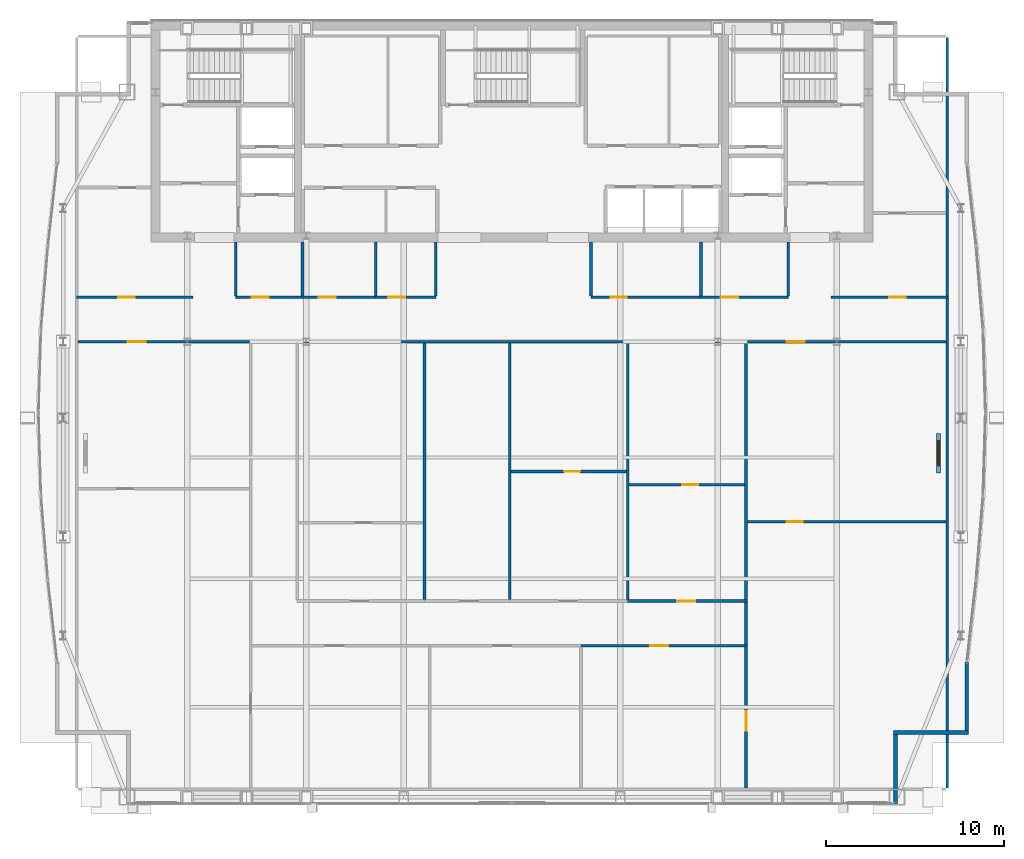
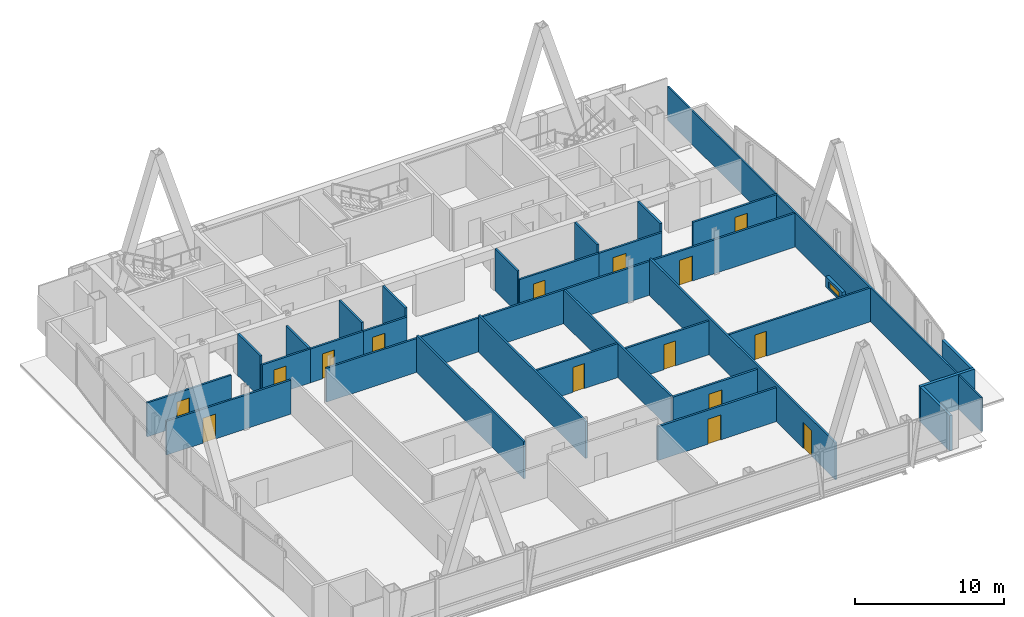
# One storey, part 23 of 28: 31 walls, 15 doors, 1 window, 16 openings.
"""IFC4 building model written with IfcOpenShell, lengths in metres."""

import ifcopenshell
import ifcopenshell.guid

model = None  # the IFC model being written
_history = None  # IfcOwnerHistory: only IFC2X3 demands one
_inside = {}  # id of a spatial element -> (the spatial element, [elements in it])
_under = {}  # id of a project, library or spatial element -> (it, [spatial elements below it])
_declared = {}  # id of a project -> (the project, [libraries it declares])
_typed = {}  # id of a type object -> (the type object, [elements of that type])
_made_of = {}  # id of a material, layer set ... -> (it, [elements and type objects made of it])


def new_model(schema):
    """Start an empty IFC model of exactly this schema.

    Asked for "IFC4X3", IfcOpenShell would pick the latest addendum, in which some entities
    have other attributes; the version numbers below select the first issue.
    IFC2X3 requires an IfcOwnerHistory on every rooted entity: one is made here for all.
    """
    global model, _history
    if schema == "IFC4X3":
        model = ifcopenshell.file(schema_version=(4, 3, 0, 0))
    else:
        model = ifcopenshell.file(schema=schema)
    _inside.clear()
    _under.clear()
    _declared.clear()
    _typed.clear()
    _made_of.clear()
    _history = None
    if model.schema == "IFC2X3":
        org = make("IfcOrganization", Name="unknown")
        user = make(
            "IfcPersonAndOrganization",
            ThePerson=make("IfcPerson", FamilyName="unknown"),
            TheOrganization=org,
        )
        app = make(
            "IfcApplication",
            ApplicationDeveloper=org,
            Version="unknown",
            ApplicationFullName="unknown",
            ApplicationIdentifier="unknown",
        )
        _history = make(
            "IfcOwnerHistory",
            OwningUser=user,
            OwningApplication=app,
            ChangeAction="ADDED",
            CreationDate=0,
        )
    return model


def make(cls, **values):
    """One entity of the class cls with the attributes given. An attribute that is None is left unset."""
    return model.create_entity(
        cls, **{name: value for name, value in values.items() if value is not None}
    )


def rooted(cls, **values):
    """An entity with a GlobalId (a new one), such as an element, a storey or a relation."""
    return make(cls, GlobalId=ifcopenshell.guid.new(), OwnerHistory=_history, **values)


def si_unit(unit_type, name, prefix=None):
    """IfcSIUnit, for example si_unit("LENGTHUNIT", "METRE", prefix="MILLI")."""
    return make("IfcSIUnit", UnitType=unit_type, Prefix=prefix, Name=name)


def assignment(units):
    """IfcUnitAssignment: the units of a project."""
    return None if units is None else make("IfcUnitAssignment", Units=units)


def point(xyz):
    """IfcCartesianPoint."""
    return None if xyz is None else make("IfcCartesianPoint", Coordinates=xyz)


def direction(xyz):
    """IfcDirection."""
    return None if xyz is None else make("IfcDirection", DirectionRatios=xyz)


def frame(location, z_axis=None, x_axis=None):
    """IfcAxis2Placement3D, a coordinate frame: its origin and axes. An axis left out is left unset."""
    return make(
        "IfcAxis2Placement3D",
        Location=point(location),
        Axis=direction(z_axis),
        RefDirection=direction(x_axis),
    )


def frame_2d(location, x_axis=None):
    """IfcAxis2Placement2D, a coordinate frame in the plane: its origin and x axis."""
    return make(
        "IfcAxis2Placement2D", Location=point(location), RefDirection=direction(x_axis)
    )


def origin():
    """The frame at (0, 0, 0) with its axes left unset."""
    return frame((0.0, 0.0, 0.0))


def place(relative_to, where):
    """IfcLocalPlacement: puts the frame where relative to a parent placement (None: the world)."""
    return make(
        "IfcLocalPlacement", PlacementRelTo=relative_to, RelativePlacement=where
    )


def context(
    kind, dimensions, precision=None, world=None, true_north=None, identifier=None
):
    """IfcGeometricRepresentationContext, for example the 3D "Model" context."""
    return make(
        "IfcGeometricRepresentationContext",
        ContextIdentifier=identifier,
        ContextType=kind,
        CoordinateSpaceDimension=dimensions,
        Precision=precision,
        WorldCoordinateSystem=world,
        TrueNorth=true_north,
    )


def subcontext(parent, identifier, kind, view, scale=None):
    """IfcGeometricRepresentationSubContext, for example "Body" below "Model"."""
    return make(
        "IfcGeometricRepresentationSubContext",
        ContextIdentifier=identifier,
        ContextType=kind,
        ParentContext=parent,
        TargetScale=scale,
        TargetView=view,
    )


def project(units=None, contexts=None):
    """IfcProject with its units and contexts."""
    return rooted(
        "IfcProject",
        Name="project",
        RepresentationContexts=contexts,
        UnitsInContext=assignment(units),
    )


def spatial(cls, under=None, at=None, **own):
    """A site, building, storey or space (cls), placed at a placement, below another one or the project."""
    s = rooted(cls, ObjectPlacement=at, **own)
    if under is not None:
        _under.setdefault(under.id(), (under, []))[1].append(s)
    return s


def profile(cls, at=None, kind="AREA", **sizes):
    """A parametric profile (cls). Its sizes go by their IFC names, for example OverallWidth=200.0."""
    return make(cls, ProfileType=kind, Position=at, **sizes)


def rectangle(**sizes):
    """IfcRectangleProfileDef."""
    return profile("IfcRectangleProfileDef", **sizes)


def extrude(swept, where, along, depth):
    """IfcExtrudedAreaSolid: the profile swept, set in the frame where, extruded along a direction by depth."""
    return make(
        "IfcExtrudedAreaSolid",
        SweptArea=swept,
        Position=where,
        ExtrudedDirection=direction(along),
        Depth=depth,
    )


def shape(context_of_items, identifier, shape_type, items):
    """IfcShapeRepresentation: the items that make up one representation, for example the "Body"."""
    return make(
        "IfcShapeRepresentation",
        ContextOfItems=context_of_items,
        RepresentationIdentifier=identifier,
        RepresentationType=shape_type,
        Items=items,
    )


def material(Name=None, Category=None):
    """IfcMaterial."""
    return make("IfcMaterial", Name=Name, Category=Category)


def layer(
    of_material, thickness, ventilated=None, Name=None, Category=None, Priority=None
):
    """IfcMaterialLayer: one layer of a wall or slab, of a material (None: an air gap)."""
    return make(
        "IfcMaterialLayer",
        Material=of_material,
        LayerThickness=thickness,
        IsVentilated=ventilated,
        Name=Name,
        Category=Category,
        Priority=Priority,
    )


def layer_set(layers, Name=None):
    """IfcMaterialLayerSet."""
    return make("IfcMaterialLayerSet", MaterialLayers=layers, LayerSetName=Name)


def made_of(thing, what):
    """Note that an element or type object is made of a material, layer set ...; save() writes the relation."""
    if what is not None:
        _made_of.setdefault(what.id(), (what, []))[1].append(thing)
    return thing


def type_object(cls, material=None, **own):
    """A type object (cls), such as IfcWallType, which elements share."""
    return made_of(rooted(cls, **own), material)


def element(
    cls,
    number,
    at=None,
    inside=None,
    cuts=None,
    type_object=None,
    material=None,
    context=None,
    identifier="Body",
    shape_type=None,
    held_by="IfcProductDefinitionShape",
    body=None,
    shapes=None,
    **own,
):
    """One element of the class cls, such as IfcWall. Its Tag is "e" and its number.

    at: its placement. inside: the storey or other place that contains it. cuts: it is an
    opening in that element (IfcRelVoidsElement). A single representation is given by context,
    identifier, shape_type and body (its items); several are given by shapes. held_by: the class
    of the entity that holds the representations. save() writes the other relations.
    """
    e = rooted(cls, Tag="e%d" % number, ObjectPlacement=at, **own)
    if body is not None:
        shapes = [shape(context, identifier, shape_type, body)]
    if shapes is not None:
        e.Representation = make(held_by, Representations=shapes)
    if inside is not None:
        _inside.setdefault(inside.id(), (inside, []))[1].append(e)
    if cuts is not None:
        rooted(
            "IfcRelVoidsElement", RelatingBuildingElement=cuts, RelatedOpeningElement=e
        )
    if type_object is not None:
        _typed.setdefault(type_object.id(), (type_object, []))[1].append(e)
    return made_of(e, material)


def fill(opening, filler):
    """IfcRelFillsElement: the door or window that sits in an opening."""
    return rooted(
        "IfcRelFillsElement",
        RelatingOpeningElement=opening,
        RelatedBuildingElement=filler,
    )


def aggregate(whole, parts):
    """IfcRelAggregates: a whole, such as a stair, and the parts it consists of."""
    return rooted("IfcRelAggregates", RelatingObject=whole, RelatedObjects=parts)


def save(model, path):
    """Write the relations noted so far, then the file.

    IfcRelAggregates (storeys below a building ...), IfcRelContainedInSpatialStructure (elements
    in a storey), IfcRelDefinesByType, IfcRelAssociatesMaterial and IfcRelDeclares: one each for
    every whole, place, type object, material and project.
    """
    for whole, parts in _under.values():
        aggregate(whole, parts)
    for where, things in _inside.values():
        rooted(
            "IfcRelContainedInSpatialStructure",
            RelatedElements=things,
            RelatingStructure=where,
        )
    for kind, things in _typed.values():
        rooted("IfcRelDefinesByType", RelatedObjects=things, RelatingType=kind)
    for what, things in _made_of.values():
        rooted("IfcRelAssociatesMaterial", RelatedObjects=things, RelatingMaterial=what)
    for by, libraries in _declared.values():
        rooted("IfcRelDeclares", RelatingContext=by, RelatedDefinitions=libraries)
    model.write(path)


model = new_model("IFC4")

# Units and contexts
model_context = context("Model", 3, precision=1e-05, world=origin(), true_north=direction((0.0, 1.0)))
body_context = subcontext(model_context, "Body", "Model", "MODEL_VIEW")
ifc_project = project(units=[si_unit("LENGTHUNIT", "METRE"), si_unit("AREAUNIT", "SQUARE_METRE"), si_unit("VOLUMEUNIT", "CUBIC_METRE"), si_unit("PLANEANGLEUNIT", "RADIAN"), si_unit("MASSUNIT", "GRAM", prefix="KILO")], contexts=[model_context])

# Site, building, storey
site_placement = place(None, origin())
site = spatial("IfcSite", under=ifc_project, at=site_placement, CompositionType="ELEMENT")
building_placement = place(site_placement, origin())
building = spatial("IfcBuilding", under=site, at=building_placement, Name="Khoronbel Lancet Exchange", CompositionType="ELEMENT")
storey_placement = place(building_placement, frame((0.0, 0.0, 291.39990234375)))
storey = spatial("IfcBuildingStorey", under=building, at=storey_placement, Name="L75", CompositionType="ELEMENT", Elevation=291.39990234375)

# Walls
ifc_material_1 = material(Name="Precast concrete C40/50", Category="concrete")
ifc_layer_1 = layer(ifc_material_1, 0.25, Name="Precast concrete C40/50")
ifc_layer_set_1 = layer_set([ifc_layer_1], Name="Precast concrete C40/50")
wall_type_1 = type_object("IfcWallType", Name="WL-EXT250", PredefinedType="SOLIDWALL", material=ifc_layer_set_1)
wall_1_placement = place(storey_placement, frame((61.9599609375, 17.72509765625, 0.0), z_axis=(0.0, 0.0, 1.0), x_axis=(0.0, -1.0, 0.0)))
element("IfcWall", 1, at=wall_1_placement, inside=storey, type_object=wall_type_1, Name="Level L75 notched-corner limestone pier 23", PredefinedType="SOLIDWALL", context=body_context, shape_type="SweptSolid", body=[
    extrude(rectangle(XDim=3.8251953125, YDim=0.219970703125, at=frame_2d((1.91259765625, 0.0))), origin(), (0.0, 0.0, 1.0), 2.880126953125),
])
wall_2_placement = place(storey_placement, frame((62.070068359375, 13.7900390625, 0.0), z_axis=(0.0, 0.0, 1.0), x_axis=(-1.0, 0.0, 0.0)))
element("IfcWall", 2, at=wall_2_placement, inside=storey, type_object=wall_type_1, Name="Level L75 notched-corner limestone pier 24", PredefinedType="SOLIDWALL", context=body_context, shape_type="SweptSolid", body=[
    extrude(rectangle(XDim=4.219970703125, YDim=0.219970703125, at=frame_2d((2.10986328125, 0.0))), origin(), (0.0, 0.0, 1.0), 2.880126953125),
])
wall_3_placement = place(storey_placement, frame((57.9599609375, 13.679931640625, 0.0), z_axis=(0.0, 0.0, 1.0), x_axis=(0.0, -1.0, 0.0)))
element("IfcWall", 3, at=wall_3_placement, inside=storey, type_object=wall_type_1, Name="Level L75 notched-corner limestone pier 25", PredefinedType="SOLIDWALL", context=body_context, shape_type="SweptSolid", body=[
    extrude(rectangle(XDim=3.909912109375, YDim=0.219970703125, at=frame_2d((1.955078125, 0.0))), origin(), (0.0, 0.0, 1.0), 2.880126953125),
])

# Wall, opening, window
ifc_material_2 = material(Name="Concrete C40/50", Category="concrete")
ifc_layer_2 = layer(ifc_material_2, 0.25, Name="Concrete C40/50")
ifc_layer_set_2 = layer_set([ifc_layer_2], Name="Concrete C40/50")
wall_type_2 = type_object("IfcWallType", Name="WL-PAR250", PredefinedType="PARAPET", material=ifc_layer_set_2)
wall_4_placement = place(storey_placement, frame((60.375, 28.35009765625, 0.0), z_axis=(0.0, 0.0, 1.0), x_axis=(0.0, 1.0, 0.0)))
wall_4 = element("IfcWall", 4, at=wall_4_placement, inside=storey, type_object=wall_type_2, Name="Level L75 setback roof slab 2 smoke-ventilation skylight lantern curb", PredefinedType="PARAPET", context=body_context, shape_type="SweptSolid", body=[
    extrude(rectangle(XDim=2.199951171875, YDim=0.25, at=frame_2d((1.10009765625, 0.0))), origin(), (0.0, 0.0, 1.0), 0.880126953125),
])
opening_1_placement = place(wall_4_placement, frame((0.39990234375, 0.0, 0.159912109375)))
opening_1 = element("IfcOpeningElement", 5, at=opening_1_placement, cuts=wall_4, Name="Opening SK2", PredefinedType="OPENING", context=body_context, shape_type="SweptSolid", body=[
    extrude(rectangle(XDim=1.39990234375, YDim=0.5, at=frame_2d((0.699951171875, 0.25))), frame((0.0, 0.135009765625, 0.0), z_axis=(0.0, -1.0, 0.0), x_axis=(1.0, 0.0, 0.0)), (0.0, 0.0, 1.0), 0.27001953125),
])
ifc_material_3 = material(Name="Low-E Solar Control Insulating Glass", Category="glass")
window_type = type_object("IfcWindowType", Name="WIN-SK2", PartitioningType="SINGLE_PANEL", PredefinedType="SKYLIGHT", material=ifc_material_3)
window_placement = place(opening_1_placement, origin())
window = element("IfcWindow", 6, at=window_placement, inside=storey, type_object=window_type, Name="Level L75 setback roof slab 2 smoke-ventilation clerestory skylight", OverallHeight=0.5, OverallWidth=1.39990234375, PartitioningType="SINGLE_PANEL", PredefinedType="SKYLIGHT", context=body_context, shape_type="SweptSolid", body=[
    extrude(rectangle(XDim=1.39990234375, YDim=0.5, at=frame_2d((0.699951171875, 0.25))), frame((0.0, 0.030029296875, 0.0), z_axis=(0.0, -1.0, 0.0), x_axis=(1.0, 0.0, 0.0)), (0.0, 0.0, 1.0), 0.06005859375),
])
fill(opening_1, window)

# Walls
ifc_material_4 = material(Name="Acoustic Metal-Stud & Mineral-Wool Gypsum Partition 120 mm", Category="gypsum")
ifc_layer_3 = layer(ifc_material_4, 0.1201171875, Name="Acoustic Metal-Stud & Mineral-Wool Gypsum Partition 120 mm")
ifc_layer_set_3 = layer_set([ifc_layer_3], Name="Acoustic Metal-Stud & Mineral-Wool Gypsum Partition 120 mm")
wall_type_3 = type_object("IfcWallType", Name="WL-PRT120", PredefinedType="PARTITIONING", material=ifc_layer_set_3)
wall_5_placement = place(storey_placement, frame((20.949951171875, 38.280029296875, 0.0), z_axis=(0.0, 0.0, 1.0), x_axis=(0.0, 1.0, 0.0)))
element("IfcWall", 7, at=wall_5_placement, inside=storey, type_object=wall_type_3, Name="Level L75 interior partition PW-WC-0", PredefinedType="PARTITIONING", context=body_context, shape_type="SweptSolid", body=[
    extrude(rectangle(XDim=3.02001953125, YDim=0.14990234375, at=frame_2d((1.510009765625, 0.0))), origin(), (0.0, 0.0, 1.0), 3.440185546875),
])
wall_6_placement = place(storey_placement, frame((24.699951171875, 38.280029296875, 0.0), z_axis=(0.0, 0.0, 1.0), x_axis=(0.0, 1.0, 0.0)))
element("IfcWall", 8, at=wall_6_placement, inside=storey, type_object=wall_type_3, Name="Level L75 interior partition PW-WC-1", PredefinedType="PARTITIONING", context=body_context, shape_type="SweptSolid", body=[
    extrude(rectangle(XDim=3.02001953125, YDim=0.14990234375, at=frame_2d((1.510009765625, 0.0))), origin(), (0.0, 0.0, 1.0), 2.780029296875),
])
for number, where, z_axis, x_axis, name in (
    (9, (28.800048828125, 38.280029296875, 0.0), (0.0, 0.0, 1.0), (0.0, 1.0, 0.0), "Level L75 interior partition PW-WC-2"),
    (10, (32.179931640625, 38.280029296875, 0.0), (0.0, 0.0, 1.0), (0.0, 1.0, 0.0), "Level L75 interior partition PW-WC-3"),
    (11, (40.8798828125, 38.280029296875, 0.0), (0.0, 0.0, 1.0), (0.0, 1.0, 0.0), "Level L75 interior partition PW-NP-0"),
    (12, (47.050048828125, 38.280029296875, 0.0), (0.0, 0.0, 1.0), (0.0, 1.0, 0.0), "Level L75 interior partition PW-NP-M"),
    (13, (51.949951171875, 38.280029296875, 0.0), (0.0, 0.0, 1.0), (0.0, 1.0, 0.0), "Level L75 interior partition PW-NP-1"),
):
    element("IfcWall", number, at=place(storey_placement, frame(where, z_axis=z_axis, x_axis=x_axis)), inside=storey, type_object=wall_type_3, Name=name, PredefinedType="PARTITIONING", context=body_context, shape_type="SweptSolid", body=[
        extrude(rectangle(XDim=3.02001953125, YDim=0.14990234375, at=frame_2d((1.510009765625, 0.0))), origin(), (0.0, 0.0, 1.0), 3.440185546875),
    ])

# Wall, opening, door
wall_7_placement = place(storey_placement, frame((49.659912109375, 25.60009765625, 0.0), z_axis=(0.0, 0.0, 1.0), x_axis=(1.0, 0.0, 0.0)))
wall_7 = element("IfcWall", 14, at=wall_7_placement, inside=storey, type_object=wall_type_3, Name="Level L75 interior partition PW-Z4-EH", PredefinedType="PARTITIONING", context=body_context, shape_type="SweptSolid", body=[
    extrude(rectangle(XDim=11.14501953125, YDim=0.14990234375, at=frame_2d((5.572509765625, 0.0))), origin(), (0.0, 0.0, 1.0), 2.780029296875),
])
opening_2_placement = place(wall_7_placement, frame((2.199951171875, 0.0, 0.0)))
opening_2 = element("IfcOpeningElement", 15, at=opening_2_placement, cuts=wall_7, Name="Opening D5", PredefinedType="OPENING", context=body_context, shape_type="SweptSolid", body=[
    extrude(rectangle(XDim=0.89990234375, YDim=2.050048828125, at=frame_2d((0.449951171875, 1.02490234375))), frame((0.0, 0.0849609375, 0.0), z_axis=(0.0, -1.0, 0.0), x_axis=(1.0, 0.0, 0.0)), (0.0, 0.0, 1.0), 0.169921875),
])
ifc_material_5 = material(Name="Acoustic Timber Pantry & Support Door", Category="wood")
door_type_1 = type_object("IfcDoorType", Name="DR-D5", OperationType="NOTDEFINED", PredefinedType="DOOR", material=ifc_material_5)
door_1_placement = place(opening_2_placement, origin())
door_1 = element("IfcDoor", 16, at=door_1_placement, inside=storey, type_object=door_type_1, Name="East lens inner door L75-1", OperationType="SINGLE_SWING_LEFT", OverallHeight=2.050048828125, OverallWidth=0.89990234375, PredefinedType="DOOR", context=body_context, shape_type="SweptSolid", body=[
    extrude(rectangle(XDim=0.89990234375, YDim=2.050048828125, at=frame_2d((0.449951171875, 1.02490234375))), frame((0.0, 0.02490234375, 0.0), z_axis=(0.0, -1.0, 0.0), x_axis=(1.0, 0.0, 0.0)), (0.0, 0.0, 1.0), 0.050048828125),
])
fill(opening_2, door_1)

wall_8_placement = place(storey_placement, frame((36.398193359375, 28.425048828125, 0.0), z_axis=(0.0, 0.0, 1.0), x_axis=(1.0, 0.0, 0.0)))
wall_8 = element("IfcWall", 17, at=wall_8_placement, inside=storey, type_object=wall_type_3, Name="Level L75 interior partition PW-Z4C-H3", PredefinedType="PARTITIONING", context=body_context, shape_type="SweptSolid", body=[
    extrude(rectangle(XDim=6.462890625, YDim=0.14990234375, at=frame_2d((3.2314453125, 0.0))), origin(), (0.0, 0.0, 1.0), 2.780029296875),
])
opening_3_placement = place(wall_8_placement, frame((2.980224609375, 0.0, 0.0)))
opening_3 = element("IfcOpeningElement", 18, at=opening_3_placement, cuts=wall_8, Name="Opening D5", PredefinedType="OPENING", context=body_context, shape_type="SweptSolid", body=[
    extrude(rectangle(XDim=0.89990234375, YDim=2.050048828125, at=frame_2d((0.449951171875, 1.02490234375))), frame((0.0, 0.0849609375, 0.0), z_axis=(0.0, -1.0, 0.0), x_axis=(1.0, 0.0, 0.0)), (0.0, 0.0, 1.0), 0.169921875),
])
door_2_placement = place(opening_3_placement, origin())
door_2 = element("IfcDoor", 19, at=door_2_placement, inside=storey, type_object=door_type_1, Name="Z4C inner door 3 L75-1", OperationType="SINGLE_SWING_RIGHT", OverallHeight=2.050048828125, OverallWidth=0.89990234375, PredefinedType="DOOR", context=body_context, shape_type="SweptSolid", body=[
    extrude(rectangle(XDim=0.89990234375, YDim=2.050048828125, at=frame_2d((0.449951171875, 1.02490234375))), frame((0.0, 0.02490234375, 0.0), z_axis=(0.0, -1.0, 0.0), x_axis=(1.0, 0.0, 0.0)), (0.0, 0.0, 1.0), 0.050048828125),
])
fill(opening_3, door_2)

wall_9_placement = place(storey_placement, frame((43.02099609375, 27.671630859375, 0.0), z_axis=(0.0, 0.0, 1.0), x_axis=(1.0, 0.0, 0.0)))
wall_9 = element("IfcWall", 20, at=wall_9_placement, inside=storey, type_object=wall_type_3, Name="Level L75 interior partition PW-Z4C-H4", PredefinedType="PARTITIONING", context=body_context, shape_type="SweptSolid", body=[
    extrude(rectangle(XDim=6.47900390625, YDim=0.14990234375, at=frame_2d((3.239501953125, 0.0))), origin(), (0.0, 0.0, 1.0), 2.780029296875),
])
opening_4_placement = place(wall_9_placement, frame((2.987548828125, 0.0, 0.0)))
opening_4 = element("IfcOpeningElement", 21, at=opening_4_placement, cuts=wall_9, Name="Opening D5", PredefinedType="OPENING", context=body_context, shape_type="SweptSolid", body=[
    extrude(rectangle(XDim=0.89990234375, YDim=2.050048828125, at=frame_2d((0.449951171875, 1.02490234375))), frame((0.0, 0.0849609375, 0.0), z_axis=(0.0, -1.0, 0.0), x_axis=(1.0, 0.0, 0.0)), (0.0, 0.0, 1.0), 0.169921875),
])
door_3_placement = place(opening_4_placement, origin())
door_3 = element("IfcDoor", 22, at=door_3_placement, inside=storey, type_object=door_type_1, Name="Z4C inner door 4 L75-1", OperationType="SINGLE_SWING_RIGHT", OverallHeight=2.050048828125, OverallWidth=0.89990234375, PredefinedType="DOOR", context=body_context, shape_type="SweptSolid", body=[
    extrude(rectangle(XDim=0.89990234375, YDim=2.050048828125, at=frame_2d((0.449951171875, 1.02490234375))), frame((0.0, 0.02490234375, 0.0), z_axis=(0.0, -1.0, 0.0), x_axis=(1.0, 0.0, 0.0)), (0.0, 0.0, 1.0), 0.050048828125),
])
fill(opening_4, door_3)

# Wall
wall_10_placement = place(storey_placement, frame((60.8701171875, 10.6650390625, 0.0), z_axis=(0.0, 0.0, 1.0), x_axis=(0.0, 1.0, 0.0)))
element("IfcWall", 23, at=wall_10_placement, inside=storey, type_object=wall_type_3, Name="Level L75 interior partition PW-LIN-E", PredefinedType="PARTITIONING", context=body_context, shape_type="SweptSolid", body=[
    extrude(rectangle(XDim=42.10986328125, YDim=0.1201171875, at=frame_2d((21.054931640625, 0.0))), origin(), (0.0, 0.0, 1.0), 2.780029296875),
])

# Wall, opening, door
ifc_material_6 = material(Name="Fire-Rated Twin-Stud Acoustic Gypsum Partition 150 mm", Category="gypsum")
ifc_layer_4 = layer(ifc_material_6, 0.14990234375, Name="Fire-Rated Twin-Stud Acoustic Gypsum Partition 150 mm")
ifc_layer_set_4 = layer_set([ifc_layer_4], Name="Fire-Rated Twin-Stud Acoustic Gypsum Partition 150 mm")
wall_type_4 = type_object("IfcWallType", Name="WL-PRT150C", PredefinedType="PARTITIONING", material=ifc_layer_set_4)
wall_11_placement = place(storey_placement, frame((20.949951171875, 38.199951171875, 0.0), z_axis=(0.0, 0.0, 1.0), x_axis=(1.0, 0.0, 0.0)))
wall_11 = element("IfcWall", 24, at=wall_11_placement, inside=storey, type_object=wall_type_4, Name="Level L75 interior partition PW-WC-S1", PredefinedType="PARTITIONING", context=body_context, shape_type="SweptSolid", body=[
    extrude(rectangle(XDim=3.75, YDim=0.14990234375, at=frame_2d((1.875, 0.0))), origin(), (0.0, 0.0, 1.0), 2.780029296875),
])
opening_5_placement = place(wall_11_placement, frame((0.89990234375, 0.0, 0.0)))
opening_5 = element("IfcOpeningElement", 25, at=opening_5_placement, cuts=wall_11, Name="Opening D4", PredefinedType="OPENING", context=body_context, shape_type="SweptSolid", body=[
    extrude(rectangle(XDim=0.949951171875, YDim=2.050048828125, at=frame_2d((0.47509765625, 1.02490234375))), frame((0.0, 0.0849609375, 0.0), z_axis=(0.0, -1.0, 0.0), x_axis=(1.0, 0.0, 0.0)), (0.0, 0.0, 1.0), 0.169921875),
])
ifc_material_7 = material(Name="Moisture-Resistant HPL Washroom Door", Category="wood")
door_type_2 = type_object("IfcDoorType", Name="DR-D4", OperationType="NOTDEFINED", PredefinedType="DOOR", material=ifc_material_7)
door_4_placement = place(opening_5_placement, origin())
door_4 = element("IfcDoor", 26, at=door_4_placement, inside=storey, type_object=door_type_2, Name="Male washroom door L75-1", OperationType="SINGLE_SWING_LEFT", OverallHeight=2.050048828125, OverallWidth=0.949951171875, PredefinedType="DOOR", context=body_context, shape_type="SweptSolid", body=[
    extrude(rectangle(XDim=0.949951171875, YDim=2.050048828125, at=frame_2d((0.47509765625, 1.02490234375))), frame((0.0, 0.02490234375, 0.0), z_axis=(0.0, -1.0, 0.0), x_axis=(1.0, 0.0, 0.0)), (0.0, 0.0, 1.0), 0.050048828125),
])
fill(opening_5, door_4)

wall_12_placement = place(storey_placement, frame((24.699951171875, 38.199951171875, 0.0), z_axis=(0.0, 0.0, 1.0), x_axis=(1.0, 0.0, 0.0)))
wall_12 = element("IfcWall", 27, at=wall_12_placement, inside=storey, type_object=wall_type_4, Name="Level L75 interior partition PW-WC-S2", PredefinedType="PARTITIONING", context=body_context, shape_type="SweptSolid", body=[
    extrude(rectangle(XDim=4.10009765625, YDim=0.14990234375, at=frame_2d((2.050048828125, 0.0))), origin(), (0.0, 0.0, 1.0), 2.780029296875),
])
opening_6_placement = place(wall_12_placement, frame((0.89990234375, 0.0, 0.0)))
opening_6 = element("IfcOpeningElement", 28, at=opening_6_placement, cuts=wall_12, Name="Opening D4", PredefinedType="OPENING", context=body_context, shape_type="SweptSolid", body=[
    extrude(rectangle(XDim=0.949951171875, YDim=2.050048828125, at=frame_2d((0.47509765625, 1.02490234375))), frame((0.0, 0.0849609375, 0.0), z_axis=(0.0, -1.0, 0.0), x_axis=(1.0, 0.0, 0.0)), (0.0, 0.0, 1.0), 0.169921875),
])
door_5_placement = place(opening_6_placement, origin())
door_5 = element("IfcDoor", 29, at=door_5_placement, inside=storey, type_object=door_type_2, Name="Female washroom door L75-1", OperationType="SINGLE_SWING_RIGHT", OverallHeight=2.050048828125, OverallWidth=0.949951171875, PredefinedType="DOOR", context=body_context, shape_type="SweptSolid", body=[
    extrude(rectangle(XDim=0.949951171875, YDim=2.050048828125, at=frame_2d((0.47509765625, 1.02490234375))), frame((0.0, 0.02490234375, 0.0), z_axis=(0.0, -1.0, 0.0), x_axis=(1.0, 0.0, 0.0)), (0.0, 0.0, 1.0), 0.050048828125),
])
fill(opening_6, door_5)

wall_13_placement = place(storey_placement, frame((28.800048828125, 38.199951171875, 0.0), z_axis=(0.0, 0.0, 1.0), x_axis=(1.0, 0.0, 0.0)))
wall_13 = element("IfcWall", 30, at=wall_13_placement, inside=storey, type_object=wall_type_4, Name="Level L75 interior partition PW-WC-S3", PredefinedType="PARTITIONING", context=body_context, shape_type="SweptSolid", body=[
    extrude(rectangle(XDim=3.3798828125, YDim=0.14990234375, at=frame_2d((1.68994140625, 0.0))), origin(), (0.0, 0.0, 1.0), 2.780029296875),
])
opening_7_placement = place(wall_13_placement, frame((0.699951171875, 0.0, 0.0)))
opening_7 = element("IfcOpeningElement", 31, at=opening_7_placement, cuts=wall_13, Name="Opening D4", PredefinedType="OPENING", context=body_context, shape_type="SweptSolid", body=[
    extrude(rectangle(XDim=0.949951171875, YDim=2.050048828125, at=frame_2d((0.47509765625, 1.02490234375))), frame((0.0, 0.0849609375, 0.0), z_axis=(0.0, -1.0, 0.0), x_axis=(1.0, 0.0, 0.0)), (0.0, 0.0, 1.0), 0.169921875),
])
door_6_placement = place(opening_7_placement, origin())
door_6 = element("IfcDoor", 32, at=door_6_placement, inside=storey, type_object=door_type_2, Name="Accessible WC door L75-1", OperationType="SINGLE_SWING_LEFT", OverallHeight=2.050048828125, OverallWidth=0.949951171875, PredefinedType="DOOR", context=body_context, shape_type="SweptSolid", body=[
    extrude(rectangle(XDim=0.949951171875, YDim=2.050048828125, at=frame_2d((0.47509765625, 1.02490234375))), frame((0.0, 0.02490234375, 0.0), z_axis=(0.0, -1.0, 0.0), x_axis=(1.0, 0.0, 0.0)), (0.0, 0.0, 1.0), 0.050048828125),
])
fill(opening_7, door_6)

wall_14_placement = place(storey_placement, frame((40.8798828125, 38.199951171875, 0.0), z_axis=(0.0, 0.0, 1.0), x_axis=(1.0, 0.0, 0.0)))
wall_14 = element("IfcWall", 33, at=wall_14_placement, inside=storey, type_object=wall_type_4, Name="Level L75 interior partition PW-NP-S1", PredefinedType="PARTITIONING", context=body_context, shape_type="SweptSolid", body=[
    extrude(rectangle(XDim=6.170166015625, YDim=0.14990234375, at=frame_2d((3.0849609375, 0.0))), origin(), (0.0, 0.0, 1.0), 2.780029296875),
])
opening_8_placement = place(wall_14_placement, frame((1.10009765625, 0.0, 0.0)))
opening_8 = element("IfcOpeningElement", 34, at=opening_8_placement, cuts=wall_14, Name="Opening D5", PredefinedType="OPENING", context=body_context, shape_type="SweptSolid", body=[
    extrude(rectangle(XDim=0.89990234375, YDim=2.050048828125, at=frame_2d((0.449951171875, 1.02490234375))), frame((0.0, 0.0849609375, 0.0), z_axis=(0.0, -1.0, 0.0), x_axis=(1.0, 0.0, 0.0)), (0.0, 0.0, 1.0), 0.169921875),
])
door_7_placement = place(opening_8_placement, origin())
door_7 = element("IfcDoor", 35, at=door_7_placement, inside=storey, type_object=door_type_1, Name="Floor refreshment pantry door L75-1", OperationType="SINGLE_SWING_RIGHT", OverallHeight=2.050048828125, OverallWidth=0.89990234375, PredefinedType="DOOR", context=body_context, shape_type="SweptSolid", body=[
    extrude(rectangle(XDim=0.89990234375, YDim=2.050048828125, at=frame_2d((0.449951171875, 1.02490234375))), frame((0.0, 0.02490234375, 0.0), z_axis=(0.0, -1.0, 0.0), x_axis=(1.0, 0.0, 0.0)), (0.0, 0.0, 1.0), 0.050048828125),
])
fill(opening_8, door_7)

wall_15_placement = place(storey_placement, frame((47.050048828125, 38.199951171875, 0.0), z_axis=(0.0, 0.0, 1.0), x_axis=(1.0, 0.0, 0.0)))
wall_15 = element("IfcWall", 36, at=wall_15_placement, inside=storey, type_object=wall_type_4, Name="Level L75 interior partition PW-NP-S2", PredefinedType="PARTITIONING", context=body_context, shape_type="SweptSolid", body=[
    extrude(rectangle(XDim=4.89990234375, YDim=0.14990234375, at=frame_2d((2.449951171875, 0.0))), origin(), (0.0, 0.0, 1.0), 2.780029296875),
])
opening_9_placement = place(wall_15_placement, frame((1.10009765625, 0.0, 0.0)))
opening_9 = element("IfcOpeningElement", 37, at=opening_9_placement, cuts=wall_15, Name="Opening D2", PredefinedType="OPENING", context=body_context, shape_type="SweptSolid", body=[
    extrude(rectangle(XDim=1.0, YDim=2.050048828125, at=frame_2d((0.5, 1.02490234375))), frame((0.0, 0.0849609375, 0.0), z_axis=(0.0, -1.0, 0.0), x_axis=(1.0, 0.0, 0.0)), (0.0, 0.0, 1.0), 0.169921875),
])
ifc_material_8 = material(Name="Acoustic Veneered Timber & Bronze Frame Door", Category="wood")
door_type_3 = type_object("IfcDoorType", Name="DR-D2", OperationType="NOTDEFINED", PredefinedType="DOOR", material=ifc_material_8)
door_8_placement = place(opening_9_placement, origin())
door_8 = element("IfcDoor", 38, at=door_8_placement, inside=storey, type_object=door_type_3, Name="Floor store door L75-1", OperationType="SINGLE_SWING_LEFT", OverallHeight=2.050048828125, OverallWidth=1.0, PredefinedType="DOOR", context=body_context, shape_type="SweptSolid", body=[
    extrude(rectangle(XDim=1.0, YDim=2.050048828125, at=frame_2d((0.5, 1.02490234375))), frame((0.0, 0.02490234375, 0.0), z_axis=(0.0, -1.0, 0.0), x_axis=(1.0, 0.0, 0.0)), (0.0, 0.0, 1.0), 0.050048828125),
])
fill(opening_9, door_8)

wall_16_placement = place(storey_placement, frame((12.030029296875, 38.199951171875, 0.0), z_axis=(0.0, 0.0, 1.0), x_axis=(1.0, 0.0, 0.0)))
wall_16 = element("IfcWall", 39, at=wall_16_placement, inside=storey, type_object=wall_type_4, Name="Level L75 interior partition PW-NW-S", PredefinedType="PARTITIONING", context=body_context, shape_type="SweptSolid", body=[
    extrude(rectangle(XDim=6.52001953125, YDim=0.14990234375, at=frame_2d((3.260009765625, 0.0))), origin(), (0.0, 0.0, 1.0), 2.780029296875),
])
opening_10_placement = place(wall_16_placement, frame((2.320068359375, 0.0, 0.0)))
opening_10 = element("IfcOpeningElement", 40, at=opening_10_placement, cuts=wall_16, Name="Opening D1", PredefinedType="OPENING", context=body_context, shape_type="SweptSolid", body=[
    extrude(rectangle(XDim=0.949951171875, YDim=2.050048828125, at=frame_2d((0.47509765625, 1.02490234375))), frame((0.0, 0.0849609375, 0.0), z_axis=(0.0, -1.0, 0.0), x_axis=(1.0, 0.0, 0.0)), (0.0, 0.0, 1.0), 0.169921875),
])
door_type_4 = type_object("IfcDoorType", Name="DR-D1", OperationType="NOTDEFINED", PredefinedType="DOOR", material=ifc_material_8)
door_9_placement = place(opening_10_placement, origin())
door_9 = element("IfcDoor", 41, at=door_9_placement, inside=storey, type_object=door_type_4, Name="NW corner room door L75-1", OperationType="SINGLE_SWING_RIGHT", OverallHeight=2.050048828125, OverallWidth=0.949951171875, PredefinedType="DOOR", context=body_context, shape_type="SweptSolid", body=[
    extrude(rectangle(XDim=0.949951171875, YDim=2.050048828125, at=frame_2d((0.47509765625, 1.02490234375))), frame((0.0, 0.02490234375, 0.0), z_axis=(0.0, -1.0, 0.0), x_axis=(1.0, 0.0, 0.0)), (0.0, 0.0, 1.0), 0.050048828125),
])
fill(opening_10, door_9)

wall_17_placement = place(storey_placement, frame((54.35009765625, 38.199951171875, 0.0), z_axis=(0.0, 0.0, 1.0), x_axis=(1.0, 0.0, 0.0)))
wall_17 = element("IfcWall", 42, at=wall_17_placement, inside=storey, type_object=wall_type_4, Name="Level L75 interior partition PW-NE-S", PredefinedType="PARTITIONING", context=body_context, shape_type="SweptSolid", body=[
    extrude(rectangle(XDim=6.52001953125, YDim=0.14990234375, at=frame_2d((3.260009765625, 0.0))), origin(), (0.0, 0.0, 1.0), 2.780029296875),
])
opening_11_placement = place(wall_17_placement, frame((3.25, 0.0, 0.0)))
opening_11 = element("IfcOpeningElement", 43, at=opening_11_placement, cuts=wall_17, Name="Opening D1", PredefinedType="OPENING", context=body_context, shape_type="SweptSolid", body=[
    extrude(rectangle(XDim=0.949951171875, YDim=2.050048828125, at=frame_2d((0.47509765625, 1.02490234375))), frame((0.0, 0.0849609375, 0.0), z_axis=(0.0, -1.0, 0.0), x_axis=(1.0, 0.0, 0.0)), (0.0, 0.0, 1.0), 0.169921875),
])
door_10_placement = place(opening_11_placement, origin())
door_10 = element("IfcDoor", 44, at=door_10_placement, inside=storey, type_object=door_type_4, Name="NE corner room door L75-1", OperationType="SINGLE_SWING_LEFT", OverallHeight=2.050048828125, OverallWidth=0.949951171875, PredefinedType="DOOR", context=body_context, shape_type="SweptSolid", body=[
    extrude(rectangle(XDim=0.949951171875, YDim=2.050048828125, at=frame_2d((0.47509765625, 1.02490234375))), frame((0.0, 0.02490234375, 0.0), z_axis=(0.0, -1.0, 0.0), x_axis=(1.0, 0.0, 0.0)), (0.0, 0.0, 1.0), 0.050048828125),
])
fill(opening_11, door_10)

wall_18_placement = place(storey_placement, frame((12.094970703125, 35.699951171875, 0.0), z_axis=(0.0, 0.0, 1.0), x_axis=(1.0, 0.0, 0.0)))
wall_18 = element("IfcWall", 45, at=wall_18_placement, inside=storey, type_object=wall_type_4, Name="Level L75 interior partition PW-Z4-WN", PredefinedType="PARTITIONING", context=body_context, shape_type="SweptSolid", body=[
    extrude(rectangle(XDim=9.625, YDim=0.14990234375, at=frame_2d((4.8125, 0.0))), origin(), (0.0, 0.0, 1.0), 2.780029296875),
])
opening_12_placement = place(wall_18_placement, frame((2.800048828125, 0.0, 0.0)))
opening_12 = element("IfcOpeningElement", 46, at=opening_12_placement, cuts=wall_18, Name="Opening D2", PredefinedType="OPENING", context=body_context, shape_type="SweptSolid", body=[
    extrude(rectangle(XDim=1.0, YDim=2.050048828125, at=frame_2d((0.5, 1.02490234375))), frame((0.0, 0.0849609375, 0.0), z_axis=(0.0, -1.0, 0.0), x_axis=(1.0, 0.0, 0.0)), (0.0, 0.0, 1.0), 0.169921875),
])
door_11_placement = place(opening_12_placement, origin())
door_11 = element("IfcDoor", 47, at=door_11_placement, inside=storey, type_object=door_type_3, Name="West lens north door L75-1", OperationType="SINGLE_SWING_LEFT", OverallHeight=2.050048828125, OverallWidth=1.0, PredefinedType="DOOR", context=body_context, shape_type="SweptSolid", body=[
    extrude(rectangle(XDim=1.0, YDim=2.050048828125, at=frame_2d((0.5, 1.02490234375))), frame((0.0, 0.02490234375, 0.0), z_axis=(0.0, -1.0, 0.0), x_axis=(1.0, 0.0, 0.0)), (0.0, 0.0, 1.0), 0.050048828125),
])
fill(opening_12, door_11)

wall_19_placement = place(storey_placement, frame((49.580078125, 10.6650390625, 0.0), z_axis=(0.0, 0.0, 1.0), x_axis=(0.0, 1.0, 0.0)))
wall_19 = element("IfcWall", 48, at=wall_19_placement, inside=storey, type_object=wall_type_4, Name="Level L75 interior partition PW-Z4-PE", PredefinedType="PARTITIONING", context=body_context, shape_type="SweptSolid", body=[
    extrude(rectangle(XDim=24.955078125, YDim=0.14990234375, at=frame_2d((12.4775390625, 0.0))), origin(), (0.0, 0.0, 1.0), 3.030029296875),
])
opening_13_placement = place(wall_19_placement, frame((3.199951171875, 0.0, 0.0)))
opening_13 = element("IfcOpeningElement", 49, at=opening_13_placement, cuts=wall_19, Name="Opening D6", PredefinedType="OPENING", context=body_context, shape_type="SweptSolid", body=[
    extrude(rectangle(XDim=1.10009765625, YDim=2.10009765625, at=frame_2d((0.550048828125, 1.050048828125))), frame((0.0, 0.0849609375, 0.0), z_axis=(0.0, -1.0, 0.0), x_axis=(1.0, 0.0, 0.0)), (0.0, 0.0, 1.0), 0.169921875),
])
ifc_material_9 = material(Name="Acoustic Bronze-Veneer Executive Suite Door", Category="wood")
door_type_5 = type_object("IfcDoorType", Name="DR-D6", OperationType="NOTDEFINED", PredefinedType="DOOR", material=ifc_material_9)
door_12_placement = place(opening_13_placement, origin())
door_12 = element("IfcDoor", 50, at=door_12_placement, inside=storey, type_object=door_type_5, Name="East lens south door L75-1", OperationType="SINGLE_SWING_LEFT", OverallHeight=2.10009765625, OverallWidth=1.10009765625, PredefinedType="DOOR", context=body_context, shape_type="SweptSolid", body=[
    extrude(rectangle(XDim=1.10009765625, YDim=2.10009765625, at=frame_2d((0.550048828125, 1.050048828125))), frame((0.0, 0.02490234375, 0.0), z_axis=(0.0, -1.0, 0.0), x_axis=(1.0, 0.0, 0.0)), (0.0, 0.0, 1.0), 0.050048828125),
])
fill(opening_13, door_12)

# Wall
wall_20_placement = place(storey_placement, frame((24.47998046875, 35.699951171875, 0.0), z_axis=(0.0, 0.0, 1.0), x_axis=(1.0, 0.0, 0.0)))
element("IfcWall", 51, at=wall_20_placement, inside=storey, type_object=wall_type_4, Name="Level L75 interior partition PW-Z4-EN1", PredefinedType="PARTITIONING", context=body_context, shape_type="SweptSolid", body=[
    extrude(rectangle(XDim=25.02001953125, YDim=0.14990234375, at=frame_2d((12.510009765625, 0.0))), origin(), (0.0, 0.0, 1.0), 2.780029296875),
])

# Wall, opening, door
wall_21_placement = place(storey_placement, frame((49.659912109375, 35.699951171875, 0.0), z_axis=(0.0, 0.0, 1.0), x_axis=(1.0, 0.0, 0.0)))
wall_21 = element("IfcWall", 52, at=wall_21_placement, inside=storey, type_object=wall_type_4, Name="Level L75 interior partition PW-Z4-EN2", PredefinedType="PARTITIONING", context=body_context, shape_type="SweptSolid", body=[
    extrude(rectangle(XDim=11.14501953125, YDim=0.14990234375, at=frame_2d((5.572509765625, 0.0))), origin(), (0.0, 0.0, 1.0), 2.780029296875),
])
opening_14_placement = place(wall_21_placement, frame((2.199951171875, 0.0, 0.0)))
opening_14 = element("IfcOpeningElement", 53, at=opening_14_placement, cuts=wall_21, Name="Opening D2", PredefinedType="OPENING", context=body_context, shape_type="SweptSolid", body=[
    extrude(rectangle(XDim=1.0, YDim=2.050048828125, at=frame_2d((0.5, 1.02490234375))), frame((0.0, 0.0849609375, 0.0), z_axis=(0.0, -1.0, 0.0), x_axis=(1.0, 0.0, 0.0)), (0.0, 0.0, 1.0), 0.169921875),
])
door_13_placement = place(opening_14_placement, origin())
door_13 = element("IfcDoor", 54, at=door_13_placement, inside=storey, type_object=door_type_3, Name="East lens north door L75-1", OperationType="SINGLE_SWING_RIGHT", OverallHeight=2.050048828125, OverallWidth=1.0, PredefinedType="DOOR", context=body_context, shape_type="SweptSolid", body=[
    extrude(rectangle(XDim=1.0, YDim=2.050048828125, at=frame_2d((0.5, 1.02490234375))), frame((0.0, 0.02490234375, 0.0), z_axis=(0.0, -1.0, 0.0), x_axis=(1.0, 0.0, 0.0)), (0.0, 0.0, 1.0), 0.050048828125),
])
fill(opening_14, door_13)

# Walls
for number, where, z_axis, x_axis, name in (
    (55, (31.5380859375, 21.235107421875, 0.0), (0.0, 0.0, 1.0), (0.0, 1.0, 0.0), "Level L75 interior partition PW-Z4C-V1"),
    (56, (36.318115234375, 21.235107421875, 0.0), (0.0, 0.0, 1.0), (0.0, 1.0, 0.0), "Level L75 interior partition PW-Z4C-V2"),
):
    element("IfcWall", number, at=place(storey_placement, frame(where, z_axis=z_axis, x_axis=x_axis)), inside=storey, type_object=wall_type_4, Name=name, PredefinedType="PARTITIONING", context=body_context, shape_type="SweptSolid", body=[
        extrude(rectangle(XDim=14.385009765625, YDim=0.14990234375, at=frame_2d((7.1923828125, 0.0))), origin(), (0.0, 0.0, 1.0), 3.030029296875),
    ])
wall_22_placement = place(storey_placement, frame((42.941162109375, 21.235107421875, 0.0), z_axis=(0.0, 0.0, 1.0), x_axis=(0.0, 1.0, 0.0)))
element("IfcWall", 57, at=wall_22_placement, inside=storey, type_object=wall_type_4, Name="Level L75 interior partition PW-Z4C-V3", PredefinedType="PARTITIONING", context=body_context, shape_type="SweptSolid", body=[
    extrude(rectangle(XDim=14.385009765625, YDim=0.14990234375, at=frame_2d((7.1923828125, 0.0))), origin(), (0.0, 0.0, 1.0), 2.780029296875),
])

# Wall, opening, door
ifc_material_10 = material(Name="Fire-Rated Twin-Stud Acoustic Gypsum Partition 160 mm", Category="gypsum")
ifc_layer_5 = layer(ifc_material_10, 0.159912109375, Name="Fire-Rated Twin-Stud Acoustic Gypsum Partition 160 mm")
ifc_layer_set_5 = layer_set([ifc_layer_5], Name="Fire-Rated Twin-Stud Acoustic Gypsum Partition 160 mm")
wall_type_5 = type_object("IfcWallType", Name="WL-PRT160C", PredefinedType="PARTITIONING", material=ifc_layer_set_5)
wall_23_placement = place(storey_placement, frame((42.941162109375, 21.14990234375, 0.0), z_axis=(0.0, 0.0, 1.0), x_axis=(1.0, 0.0, 0.0)))
wall_23 = element("IfcWall", 58, at=wall_23_placement, inside=storey, type_object=wall_type_5, Name="Level L75 interior partition PW-Z4C-COR4", PredefinedType="PARTITIONING", context=body_context, shape_type="SweptSolid", body=[
    extrude(rectangle(XDim=6.638916015625, YDim=0.159912109375, at=frame_2d((3.3193359375, 0.0))), origin(), (0.0, 0.0, 1.0), 2.780029296875),
])
opening_15_placement = place(wall_23_placement, frame((2.788330078125, 0.0, 0.0)))
opening_15 = element("IfcOpeningElement", 59, at=opening_15_placement, cuts=wall_23, Name="Opening D2", PredefinedType="OPENING", context=body_context, shape_type="SweptSolid", body=[
    extrude(rectangle(XDim=1.0, YDim=2.050048828125, at=frame_2d((0.5, 1.02490234375))), frame((0.0, 0.08984375, 0.0), z_axis=(0.0, -1.0, 0.0), x_axis=(1.0, 0.0, 0.0)), (0.0, 0.0, 1.0), 0.179931640625),
])
door_14_placement = place(opening_15_placement, origin())
door_14 = element("IfcDoor", 60, at=door_14_placement, inside=storey, type_object=door_type_3, Name="Z4C bay 4 door L75-1", OperationType="SINGLE_SWING_LEFT", OverallHeight=2.050048828125, OverallWidth=1.0, PredefinedType="DOOR", context=body_context, shape_type="SweptSolid", body=[
    extrude(rectangle(XDim=1.0, YDim=2.050048828125, at=frame_2d((0.5, 1.02490234375))), frame((0.0, 0.02490234375, 0.0), z_axis=(0.0, -1.0, 0.0), x_axis=(1.0, 0.0, 0.0)), (0.0, 0.0, 1.0), 0.050048828125),
])
fill(opening_15, door_14)

wall_24_placement = place(storey_placement, frame((40.320068359375, 18.64990234375, 0.0), z_axis=(0.0, 0.0, 1.0), x_axis=(1.0, 0.0, 0.0)))
wall_24 = element("IfcWall", 61, at=wall_24_placement, inside=storey, type_object=wall_type_5, Name="Level L75 interior partition PW-Z4S-COR3", PredefinedType="PARTITIONING", context=body_context, shape_type="SweptSolid", body=[
    extrude(rectangle(XDim=9.260009765625, YDim=0.159912109375, at=frame_2d((4.6298828125, 0.0))), origin(), (0.0, 0.0, 1.0), 2.780029296875),
])
opening_16_placement = place(wall_24_placement, frame((3.88916015625, 0.0, 0.0)))
opening_16 = element("IfcOpeningElement", 62, at=opening_16_placement, cuts=wall_24, Name="Opening D2", PredefinedType="OPENING", context=body_context, shape_type="SweptSolid", body=[
    extrude(rectangle(XDim=1.0, YDim=2.050048828125, at=frame_2d((0.5, 1.02490234375))), frame((0.0, 0.08984375, 0.0), z_axis=(0.0, -1.0, 0.0), x_axis=(1.0, 0.0, 0.0)), (0.0, 0.0, 1.0), 0.179931640625),
])
door_15_placement = place(opening_16_placement, origin())
door_15 = element("IfcDoor", 63, at=door_15_placement, inside=storey, type_object=door_type_3, Name="Z4S bay 3 door L75-1", OperationType="SINGLE_SWING_LEFT", OverallHeight=2.050048828125, OverallWidth=1.0, PredefinedType="DOOR", context=body_context, shape_type="SweptSolid", body=[
    extrude(rectangle(XDim=1.0, YDim=2.050048828125, at=frame_2d((0.5, 1.02490234375))), frame((0.0, 0.02490234375, 0.0), z_axis=(0.0, -1.0, 0.0), x_axis=(1.0, 0.0, 0.0)), (0.0, 0.0, 1.0), 0.050048828125),
])
fill(opening_16, door_15)

save(model, "model.ifc")
